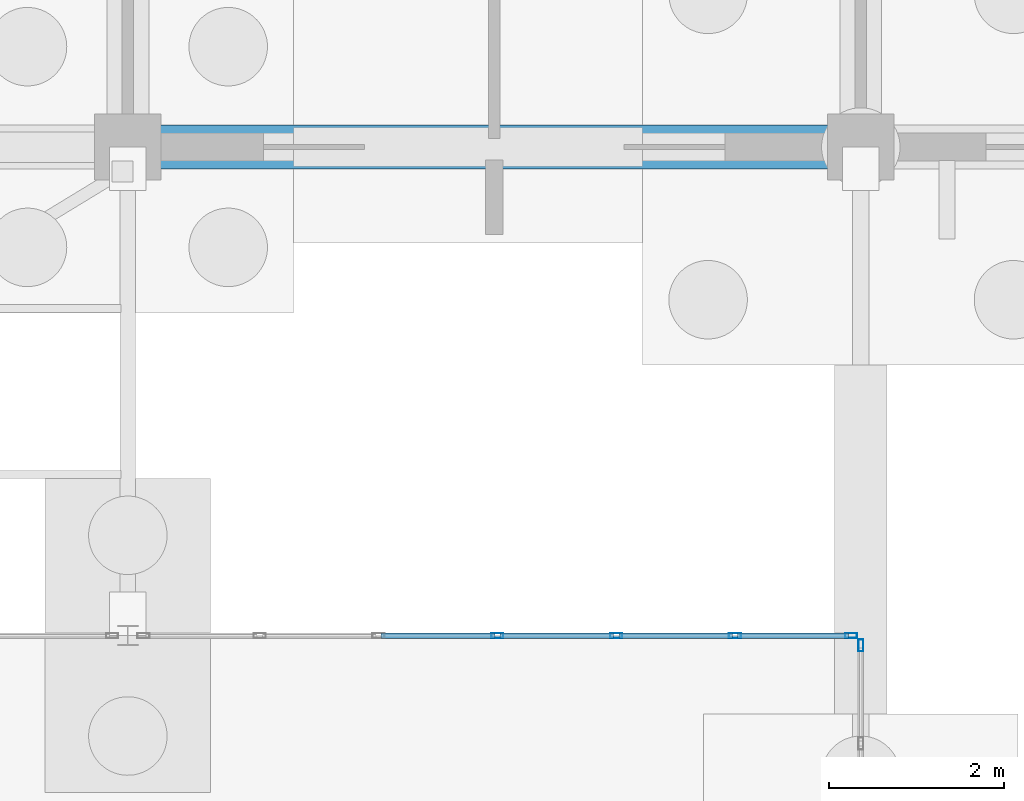
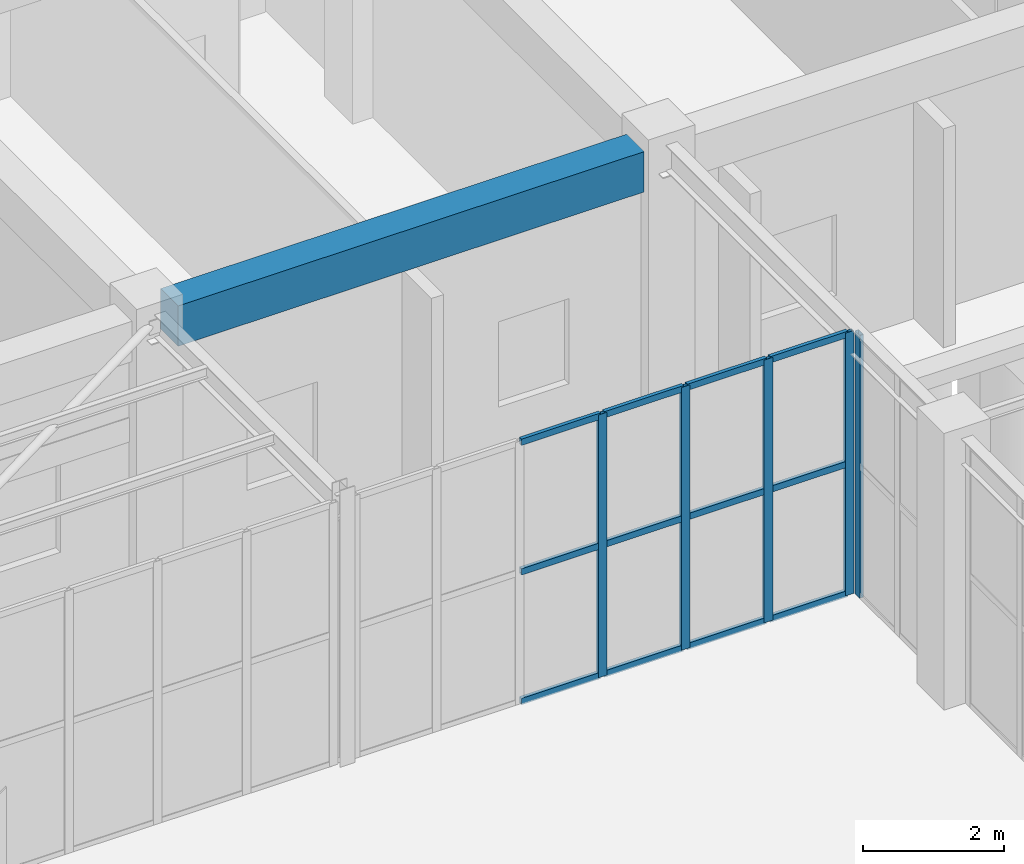
# One storey, part 102 of 192: 17 members, 1 beam, 2 elements without a shape of their own.
"""IFC4 building model written with IfcOpenShell, lengths in metres."""

import ifcopenshell
import ifcopenshell.guid

model = None  # the IFC model being written
_history = None  # IfcOwnerHistory: only IFC2X3 demands one
_inside = {}  # id of a spatial element -> (the spatial element, [elements in it])
_under = {}  # id of a project, library or spatial element -> (it, [spatial elements below it])
_declared = {}  # id of a project -> (the project, [libraries it declares])
_typed = {}  # id of a type object -> (the type object, [elements of that type])
_made_of = {}  # id of a material, layer set ... -> (it, [elements and type objects made of it])


def new_model(schema):
    """Start an empty IFC model of exactly this schema.

    Asked for "IFC4X3", IfcOpenShell would pick the latest addendum, in which some entities
    have other attributes; the version numbers below select the first issue.
    IFC2X3 requires an IfcOwnerHistory on every rooted entity: one is made here for all.
    """
    global model, _history
    if schema == "IFC4X3":
        model = ifcopenshell.file(schema_version=(4, 3, 0, 0))
    else:
        model = ifcopenshell.file(schema=schema)
    _inside.clear()
    _under.clear()
    _declared.clear()
    _typed.clear()
    _made_of.clear()
    _history = None
    if model.schema == "IFC2X3":
        org = make("IfcOrganization", Name="unknown")
        user = make(
            "IfcPersonAndOrganization",
            ThePerson=make("IfcPerson", FamilyName="unknown"),
            TheOrganization=org,
        )
        app = make(
            "IfcApplication",
            ApplicationDeveloper=org,
            Version="unknown",
            ApplicationFullName="unknown",
            ApplicationIdentifier="unknown",
        )
        _history = make(
            "IfcOwnerHistory",
            OwningUser=user,
            OwningApplication=app,
            ChangeAction="ADDED",
            CreationDate=0,
        )
    return model


def make(cls, **values):
    """One entity of the class cls with the attributes given. An attribute that is None is left unset."""
    return model.create_entity(
        cls, **{name: value for name, value in values.items() if value is not None}
    )


def rooted(cls, **values):
    """An entity with a GlobalId (a new one), such as an element, a storey or a relation."""
    return make(cls, GlobalId=ifcopenshell.guid.new(), OwnerHistory=_history, **values)


def si_unit(unit_type, name, prefix=None):
    """IfcSIUnit, for example si_unit("LENGTHUNIT", "METRE", prefix="MILLI")."""
    return make("IfcSIUnit", UnitType=unit_type, Prefix=prefix, Name=name)


def assignment(units):
    """IfcUnitAssignment: the units of a project."""
    return None if units is None else make("IfcUnitAssignment", Units=units)


def point(xyz):
    """IfcCartesianPoint."""
    return None if xyz is None else make("IfcCartesianPoint", Coordinates=xyz)


def direction(xyz):
    """IfcDirection."""
    return None if xyz is None else make("IfcDirection", DirectionRatios=xyz)


def frame(location, z_axis=None, x_axis=None):
    """IfcAxis2Placement3D, a coordinate frame: its origin and axes. An axis left out is left unset."""
    return make(
        "IfcAxis2Placement3D",
        Location=point(location),
        Axis=direction(z_axis),
        RefDirection=direction(x_axis),
    )


def frame_2d(location, x_axis=None):
    """IfcAxis2Placement2D, a coordinate frame in the plane: its origin and x axis."""
    return make(
        "IfcAxis2Placement2D", Location=point(location), RefDirection=direction(x_axis)
    )


def origin():
    """The frame at (0, 0, 0) with its axes left unset."""
    return frame((0.0, 0.0, 0.0))


def origin_2d():
    """The frame at (0, 0) in the plane with its x axis left unset."""
    return frame_2d((0.0, 0.0))


def place(relative_to, where):
    """IfcLocalPlacement: puts the frame where relative to a parent placement (None: the world)."""
    return make(
        "IfcLocalPlacement", PlacementRelTo=relative_to, RelativePlacement=where
    )


def context(
    kind, dimensions, precision=None, world=None, true_north=None, identifier=None
):
    """IfcGeometricRepresentationContext, for example the 3D "Model" context."""
    return make(
        "IfcGeometricRepresentationContext",
        ContextIdentifier=identifier,
        ContextType=kind,
        CoordinateSpaceDimension=dimensions,
        Precision=precision,
        WorldCoordinateSystem=world,
        TrueNorth=true_north,
    )


def subcontext(parent, identifier, kind, view, scale=None):
    """IfcGeometricRepresentationSubContext, for example "Body" below "Model"."""
    return make(
        "IfcGeometricRepresentationSubContext",
        ContextIdentifier=identifier,
        ContextType=kind,
        ParentContext=parent,
        TargetScale=scale,
        TargetView=view,
    )


def project(units=None, contexts=None):
    """IfcProject with its units and contexts."""
    return rooted(
        "IfcProject",
        Name="project",
        RepresentationContexts=contexts,
        UnitsInContext=assignment(units),
    )


def spatial(cls, under=None, at=None, **own):
    """A site, building, storey or space (cls), placed at a placement, below another one or the project."""
    s = rooted(cls, ObjectPlacement=at, **own)
    if under is not None:
        _under.setdefault(under.id(), (under, []))[1].append(s)
    return s


def profile(cls, at=None, kind="AREA", **sizes):
    """A parametric profile (cls). Its sizes go by their IFC names, for example OverallWidth=200.0."""
    return make(cls, ProfileType=kind, Position=at, **sizes)


def rectangle(**sizes):
    """IfcRectangleProfileDef."""
    return profile("IfcRectangleProfileDef", **sizes)


def hollow_rectangle(**sizes):
    """IfcRectangleHollowProfileDef."""
    return profile("IfcRectangleHollowProfileDef", **sizes)


def extrude(swept, where, along, depth):
    """IfcExtrudedAreaSolid: the profile swept, set in the frame where, extruded along a direction by depth."""
    return make(
        "IfcExtrudedAreaSolid",
        SweptArea=swept,
        Position=where,
        ExtrudedDirection=direction(along),
        Depth=depth,
    )


def shape(context_of_items, identifier, shape_type, items):
    """IfcShapeRepresentation: the items that make up one representation, for example the "Body"."""
    return make(
        "IfcShapeRepresentation",
        ContextOfItems=context_of_items,
        RepresentationIdentifier=identifier,
        RepresentationType=shape_type,
        Items=items,
    )


def material(Name=None, Category=None):
    """IfcMaterial."""
    return make("IfcMaterial", Name=Name, Category=Category)


def layer(
    of_material, thickness, ventilated=None, Name=None, Category=None, Priority=None
):
    """IfcMaterialLayer: one layer of a wall or slab, of a material (None: an air gap)."""
    return make(
        "IfcMaterialLayer",
        Material=of_material,
        LayerThickness=thickness,
        IsVentilated=ventilated,
        Name=Name,
        Category=Category,
        Priority=Priority,
    )


def layer_set(layers, Name=None):
    """IfcMaterialLayerSet."""
    return make("IfcMaterialLayerSet", MaterialLayers=layers, LayerSetName=Name)


def material_profile(
    of_material, cross_section, Name=None, Category=None, Priority=None
):
    """IfcMaterialProfile: a cross section and its material."""
    return make(
        "IfcMaterialProfile",
        Name=Name,
        Material=of_material,
        Profile=cross_section,
        Priority=Priority,
        Category=Category,
    )


def profile_set(profiles, Name=None, composite=None):
    """IfcMaterialProfileSet."""
    return make(
        "IfcMaterialProfileSet",
        Name=Name,
        MaterialProfiles=profiles,
        CompositeProfile=composite,
    )


def made_of(thing, what):
    """Note that an element or type object is made of a material, layer set ...; save() writes the relation."""
    if what is not None:
        _made_of.setdefault(what.id(), (what, []))[1].append(thing)
    return thing


def type_object(cls, material=None, **own):
    """A type object (cls), such as IfcWallType, which elements share."""
    return made_of(rooted(cls, **own), material)


def element(
    cls,
    number,
    at=None,
    inside=None,
    cuts=None,
    type_object=None,
    material=None,
    context=None,
    identifier="Body",
    shape_type=None,
    held_by="IfcProductDefinitionShape",
    body=None,
    shapes=None,
    **own,
):
    """One element of the class cls, such as IfcWall. Its Tag is "e" and its number.

    at: its placement. inside: the storey or other place that contains it. cuts: it is an
    opening in that element (IfcRelVoidsElement). A single representation is given by context,
    identifier, shape_type and body (its items); several are given by shapes. held_by: the class
    of the entity that holds the representations. save() writes the other relations.
    """
    e = rooted(cls, Tag="e%d" % number, ObjectPlacement=at, **own)
    if body is not None:
        shapes = [shape(context, identifier, shape_type, body)]
    if shapes is not None:
        e.Representation = make(held_by, Representations=shapes)
    if inside is not None:
        _inside.setdefault(inside.id(), (inside, []))[1].append(e)
    if cuts is not None:
        rooted(
            "IfcRelVoidsElement", RelatingBuildingElement=cuts, RelatedOpeningElement=e
        )
    if type_object is not None:
        _typed.setdefault(type_object.id(), (type_object, []))[1].append(e)
    return made_of(e, material)


def aggregate(whole, parts):
    """IfcRelAggregates: a whole, such as a stair, and the parts it consists of."""
    return rooted("IfcRelAggregates", RelatingObject=whole, RelatedObjects=parts)


def save(model, path):
    """Write the relations noted so far, then the file.

    IfcRelAggregates (storeys below a building ...), IfcRelContainedInSpatialStructure (elements
    in a storey), IfcRelDefinesByType, IfcRelAssociatesMaterial and IfcRelDeclares: one each for
    every whole, place, type object, material and project.
    """
    for whole, parts in _under.values():
        aggregate(whole, parts)
    for where, things in _inside.values():
        rooted(
            "IfcRelContainedInSpatialStructure",
            RelatedElements=things,
            RelatingStructure=where,
        )
    for kind, things in _typed.values():
        rooted("IfcRelDefinesByType", RelatedObjects=things, RelatingType=kind)
    for what, things in _made_of.values():
        rooted("IfcRelAssociatesMaterial", RelatedObjects=things, RelatingMaterial=what)
    for by, libraries in _declared.values():
        rooted("IfcRelDeclares", RelatingContext=by, RelatedDefinitions=libraries)
    model.write(path)


model = new_model("IFC4")

# Units and contexts
model_context = context("Model", 3, precision=1e-05, world=origin(), true_north=direction((0.0, 1.0)))
body_context = subcontext(model_context, "Body", "Model", "MODEL_VIEW")
ifc_project = project(units=[si_unit("LENGTHUNIT", "METRE"), si_unit("AREAUNIT", "SQUARE_METRE"), si_unit("VOLUMEUNIT", "CUBIC_METRE"), si_unit("PLANEANGLEUNIT", "RADIAN"), si_unit("MASSUNIT", "GRAM", prefix="KILO")], contexts=[model_context])

# Site, building, storey
site_placement = place(None, origin())
site = spatial("IfcSite", under=ifc_project, at=site_placement, CompositionType="ELEMENT")
building_placement = place(site_placement, origin())
building = spatial("IfcBuilding", under=site, at=building_placement, Name="Trelvath General Hospital", CompositionType="ELEMENT")
storey_placement = place(building_placement, origin())
storey = spatial("IfcBuildingStorey", under=building, at=storey_placement, Name="L00", CompositionType="ELEMENT", Elevation=0.0)

# Beam
ifc_material_1 = material(Name="Concrete C35/45", Category="concrete")
ifc_material_profile_1 = material_profile(ifc_material_1, rectangle(XDim=0.5, YDim=0.699951171875, at=origin_2d()), Name="RCB500x700")
ifc_profile_set_1 = profile_set([ifc_material_profile_1], Name="Concrete C35/45")
beam_type = type_object("IfcBeamType", Name="Beam RC500x700", PredefinedType="BEAM", material=ifc_profile_set_1)
beam_placement = place(storey_placement, frame((67.574951171875, 92.39990234375, 4.169921875), z_axis=(1.0, 0.0, 0.0), x_axis=(0.0, 1.0, 0.0)))
element("IfcBeam", 1, at=beam_placement, inside=storey, type_object=beam_type, Name="Grid Beam BX-008L", PredefinedType="BEAM", context=body_context, shape_type="SweptSolid", body=[
    extrude(rectangle(XDim=0.5, YDim=0.699951171875, at=origin_2d()), origin(), (0.0, 0.0, 1.0), 7.650146484375),
])

# Curtain wall, members
ifc_material_2 = material(Name="Anodised aluminium and low-E glass", Category="aluminium")
ifc_layer_1 = layer(ifc_material_2, 0.139892578125)
ifc_layer_set_1 = layer_set([ifc_layer_1], Name="Anodised aluminium and low-E glass")
curtain_wall_type_1 = type_object("IfcCurtainWallType", Name="CW CrystalCube 817 456 14", PredefinedType="USERDEFINED", material=ifc_layer_set_1)
curtain_wall_1_placement = place(storey_placement, origin())
curtain_wall_1 = element("IfcCurtainWall", 2, at=curtain_wall_1_placement, inside=storey, type_object=curtain_wall_type_1, Name="Crystal Cube Curtain Wall CUBE-W-T0 N5 L00", ObjectType="Unitised Glazed Curtain Wall", PredefinedType="USERDEFINED")
ifc_material_3 = material(Name="Anodised aluminium", Category="aluminium")
ifc_material_profile_2 = material_profile(ifc_material_3, hollow_rectangle(XDim=0.06005859375, YDim=0.139892578125, WallThickness=0.00390625, at=origin_2d()), Name="RHS60x140x4")
ifc_profile_set_2 = profile_set([ifc_material_profile_2], Name="Anodised aluminium")
member_type_1 = type_object("IfcMemberType", Name="CurtainMullion 60x140", PredefinedType="MULLION", material=ifc_profile_set_2)
member_1_placement = place(storey_placement, frame((71.43505859375, 86.800048828125, 0.0), z_axis=(0.0, 0.0, 1.0), x_axis=(0.0, 1.0, 0.0)))
member_1 = element("IfcMember", 3, at=member_1_placement, type_object=member_type_1, Name="CW-093 mullion 4", PredefinedType="MULLION", context=body_context, shape_type="SweptSolid", body=[
    extrude(hollow_rectangle(XDim=0.06005859375, YDim=0.139892578125, WallThickness=0.00390625, at=origin_2d()), origin(), (0.0, 0.0, 1.0), 4.56005859375),
])
member_2_placement = place(storey_placement, frame((72.796630859375, 86.800048828125, 0.0), z_axis=(0.0, 0.0, 1.0), x_axis=(0.0, 1.0, 0.0)))
member_2 = element("IfcMember", 4, at=member_2_placement, type_object=member_type_1, Name="CW-093 mullion 5", PredefinedType="MULLION", context=body_context, shape_type="SweptSolid", body=[
    extrude(hollow_rectangle(XDim=0.06005859375, YDim=0.139892578125, WallThickness=0.00390625, at=origin_2d()), origin(), (0.0, 0.0, 1.0), 4.56005859375),
])
member_3_placement = place(storey_placement, frame((74.158447265625, 86.800048828125, 0.0), z_axis=(0.0, 0.0, 1.0), x_axis=(0.0, 1.0, 0.0)))
member_3 = element("IfcMember", 5, at=member_3_placement, type_object=member_type_1, Name="CW-093 mullion 6", PredefinedType="MULLION", context=body_context, shape_type="SweptSolid", body=[
    extrude(hollow_rectangle(XDim=0.06005859375, YDim=0.139892578125, WallThickness=0.00390625, at=origin_2d()), origin(), (0.0, 0.0, 1.0), 4.56005859375),
])
member_4_placement = place(storey_placement, frame((75.489990234375, 86.800048828125, 0.0), z_axis=(0.0, 0.0, 1.0), x_axis=(0.0, 1.0, 0.0)))
member_4 = element("IfcMember", 6, at=member_4_placement, type_object=member_type_1, Name="CW-093 mullion 7", PredefinedType="MULLION", context=body_context, shape_type="SweptSolid", body=[
    extrude(hollow_rectangle(XDim=0.06005859375, YDim=0.139892578125, WallThickness=0.00390625, at=origin_2d()), origin(), (0.0, 0.0, 1.0), 4.56005859375),
])

# Curtain wall, member
ifc_material_4 = material(Name="Anodised aluminium and low-E glass", Category="aluminium")
ifc_layer_2 = layer(ifc_material_4, 0.139892578125)
ifc_layer_set_2 = layer_set([ifc_layer_2], Name="Anodised aluminium and low-E glass")
curtain_wall_type_2 = type_object("IfcCurtainWallType", Name="CW CrystalCube 231 456 14", PredefinedType="USERDEFINED", material=ifc_layer_set_2)
curtain_wall_2_placement = place(storey_placement, origin())
curtain_wall_2 = element("IfcCurtainWall", 7, at=curtain_wall_2_placement, inside=storey, type_object=curtain_wall_type_2, Name="Crystal Cube Curtain Wall CUBE-W-T0 E7 L00", ObjectType="Unitised Glazed Curtain Wall", PredefinedType="USERDEFINED")
member_5_placement = place(storey_placement, frame((75.60009765625, 86.68994140625, 0.0), z_axis=(0.0, 0.0, 1.0), x_axis=(1.0, 0.0, 0.0)))
member_5 = element("IfcMember", 8, at=member_5_placement, type_object=member_type_1, Name="CW-105 mullion 1", PredefinedType="MULLION", context=body_context, shape_type="SweptSolid", body=[
    extrude(hollow_rectangle(XDim=0.06005859375, YDim=0.139892578125, WallThickness=0.00390625, at=origin_2d()), origin(), (0.0, 0.0, 1.0), 4.56005859375),
])
aggregate(curtain_wall_2, [member_5])

# Member
ifc_material_5 = material(Name="Anodised aluminium", Category="aluminium")
ifc_material_profile_3 = material_profile(ifc_material_5, hollow_rectangle(XDim=0.06005859375, YDim=0.110107421875, WallThickness=0.00390625, at=origin_2d()), Name="RHS60x110x4")
ifc_profile_set_3 = profile_set([ifc_material_profile_3], Name="Anodised aluminium")
member_type_2 = type_object("IfcMemberType", Name="CurtainTransom 60x110", PredefinedType="USERDEFINED", material=ifc_profile_set_3)
member_6_placement = place(storey_placement, frame((70.103271484375, 86.800048828125, 0.030029296875), z_axis=(1.0, 0.0, 0.0), x_axis=(0.0, 1.0, 0.0)))
member_6 = element("IfcMember", 9, at=member_6_placement, type_object=member_type_2, Name="CW-093 transom 3.1", ObjectType="TRANSOM", PredefinedType="USERDEFINED", context=body_context, shape_type="SweptSolid", body=[
    extrude(hollow_rectangle(XDim=0.06005859375, YDim=0.110107421875, WallThickness=0.00390625, at=origin_2d()), origin(), (0.0, 0.0, 1.0), 1.3017578125),
])

member_7_placement = place(storey_placement, frame((70.103271484375, 86.800048828125, 2.280029296875), z_axis=(1.0, 0.0, 0.0), x_axis=(0.0, 1.0, 0.0)))
member_7 = element("IfcMember", 10, at=member_7_placement, type_object=member_type_2, Name="CW-093 transom 3.2", ObjectType="TRANSOM", PredefinedType="USERDEFINED", context=body_context, shape_type="SweptSolid", body=[
    extrude(hollow_rectangle(XDim=0.06005859375, YDim=0.110107421875, WallThickness=0.00390625, at=origin_2d()), origin(), (0.0, 0.0, 1.0), 1.3017578125),
])

member_8_placement = place(storey_placement, frame((70.103271484375, 86.800048828125, 4.530029296875), z_axis=(1.0, 0.0, 0.0), x_axis=(0.0, 1.0, 0.0)))
member_8 = element("IfcMember", 11, at=member_8_placement, type_object=member_type_2, Name="CW-093 transom 3.3", ObjectType="TRANSOM", PredefinedType="USERDEFINED", context=body_context, shape_type="SweptSolid", body=[
    extrude(hollow_rectangle(XDim=0.06005859375, YDim=0.110107421875, WallThickness=0.00390625, at=origin_2d()), origin(), (0.0, 0.0, 1.0), 1.3017578125),
])

member_9_placement = place(storey_placement, frame((71.465087890625, 86.800048828125, 0.030029296875), z_axis=(1.0, 0.0, 0.0), x_axis=(0.0, 1.0, 0.0)))
member_9 = element("IfcMember", 12, at=member_9_placement, type_object=member_type_2, Name="CW-093 transom 4.1", ObjectType="TRANSOM", PredefinedType="USERDEFINED", context=body_context, shape_type="SweptSolid", body=[
    extrude(hollow_rectangle(XDim=0.06005859375, YDim=0.110107421875, WallThickness=0.00390625, at=origin_2d()), origin(), (0.0, 0.0, 1.0), 1.301513671875),
])

member_10_placement = place(storey_placement, frame((71.465087890625, 86.800048828125, 2.280029296875), z_axis=(1.0, 0.0, 0.0), x_axis=(0.0, 1.0, 0.0)))
member_10 = element("IfcMember", 13, at=member_10_placement, type_object=member_type_2, Name="CW-093 transom 4.2", ObjectType="TRANSOM", PredefinedType="USERDEFINED", context=body_context, shape_type="SweptSolid", body=[
    extrude(hollow_rectangle(XDim=0.06005859375, YDim=0.110107421875, WallThickness=0.00390625, at=origin_2d()), origin(), (0.0, 0.0, 1.0), 1.301513671875),
])

member_11_placement = place(storey_placement, frame((71.465087890625, 86.800048828125, 4.530029296875), z_axis=(1.0, 0.0, 0.0), x_axis=(0.0, 1.0, 0.0)))
member_11 = element("IfcMember", 14, at=member_11_placement, type_object=member_type_2, Name="CW-093 transom 4.3", ObjectType="TRANSOM", PredefinedType="USERDEFINED", context=body_context, shape_type="SweptSolid", body=[
    extrude(hollow_rectangle(XDim=0.06005859375, YDim=0.110107421875, WallThickness=0.00390625, at=origin_2d()), origin(), (0.0, 0.0, 1.0), 1.301513671875),
])

member_12_placement = place(storey_placement, frame((72.82666015625, 86.800048828125, 0.030029296875), z_axis=(1.0, 0.0, 0.0), x_axis=(0.0, 1.0, 0.0)))
member_12 = element("IfcMember", 15, at=member_12_placement, type_object=member_type_2, Name="CW-093 transom 5.1", ObjectType="TRANSOM", PredefinedType="USERDEFINED", context=body_context, shape_type="SweptSolid", body=[
    extrude(hollow_rectangle(XDim=0.06005859375, YDim=0.110107421875, WallThickness=0.00390625, at=origin_2d()), origin(), (0.0, 0.0, 1.0), 1.3017578125),
])

member_13_placement = place(storey_placement, frame((72.82666015625, 86.800048828125, 2.280029296875), z_axis=(1.0, 0.0, 0.0), x_axis=(0.0, 1.0, 0.0)))
member_13 = element("IfcMember", 16, at=member_13_placement, type_object=member_type_2, Name="CW-093 transom 5.2", ObjectType="TRANSOM", PredefinedType="USERDEFINED", context=body_context, shape_type="SweptSolid", body=[
    extrude(hollow_rectangle(XDim=0.06005859375, YDim=0.110107421875, WallThickness=0.00390625, at=origin_2d()), origin(), (0.0, 0.0, 1.0), 1.3017578125),
])

member_14_placement = place(storey_placement, frame((72.82666015625, 86.800048828125, 4.530029296875), z_axis=(1.0, 0.0, 0.0), x_axis=(0.0, 1.0, 0.0)))
member_14 = element("IfcMember", 17, at=member_14_placement, type_object=member_type_2, Name="CW-093 transom 5.3", ObjectType="TRANSOM", PredefinedType="USERDEFINED", context=body_context, shape_type="SweptSolid", body=[
    extrude(hollow_rectangle(XDim=0.06005859375, YDim=0.110107421875, WallThickness=0.00390625, at=origin_2d()), origin(), (0.0, 0.0, 1.0), 1.3017578125),
])

member_15_placement = place(storey_placement, frame((74.188232421875, 86.800048828125, 0.030029296875), z_axis=(1.0, 0.0, 0.0), x_axis=(0.0, 1.0, 0.0)))
member_15 = element("IfcMember", 18, at=member_15_placement, type_object=member_type_2, Name="CW-093 transom 6.1", ObjectType="TRANSOM", PredefinedType="USERDEFINED", context=body_context, shape_type="SweptSolid", body=[
    extrude(hollow_rectangle(XDim=0.06005859375, YDim=0.110107421875, WallThickness=0.00390625, at=origin_2d()), origin(), (0.0, 0.0, 1.0), 1.271728515625),
])

member_16_placement = place(storey_placement, frame((74.188232421875, 86.800048828125, 2.280029296875), z_axis=(1.0, 0.0, 0.0), x_axis=(0.0, 1.0, 0.0)))
member_16 = element("IfcMember", 19, at=member_16_placement, type_object=member_type_2, Name="CW-093 transom 6.2", ObjectType="TRANSOM", PredefinedType="USERDEFINED", context=body_context, shape_type="SweptSolid", body=[
    extrude(hollow_rectangle(XDim=0.06005859375, YDim=0.110107421875, WallThickness=0.00390625, at=origin_2d()), origin(), (0.0, 0.0, 1.0), 1.271728515625),
])

member_17_placement = place(storey_placement, frame((74.188232421875, 86.800048828125, 4.530029296875), z_axis=(1.0, 0.0, 0.0), x_axis=(0.0, 1.0, 0.0)))
member_17 = element("IfcMember", 20, at=member_17_placement, type_object=member_type_2, Name="CW-093 transom 6.3", ObjectType="TRANSOM", PredefinedType="USERDEFINED", context=body_context, shape_type="SweptSolid", body=[
    extrude(hollow_rectangle(XDim=0.06005859375, YDim=0.110107421875, WallThickness=0.00390625, at=origin_2d()), origin(), (0.0, 0.0, 1.0), 1.271728515625),
])

aggregate(curtain_wall_1, [member_1, member_2, member_3, member_4, member_6, member_7, member_8, member_9, member_10, member_11, member_12, member_13, member_14, member_15, member_16, member_17])

save(model, "model.ifc")
